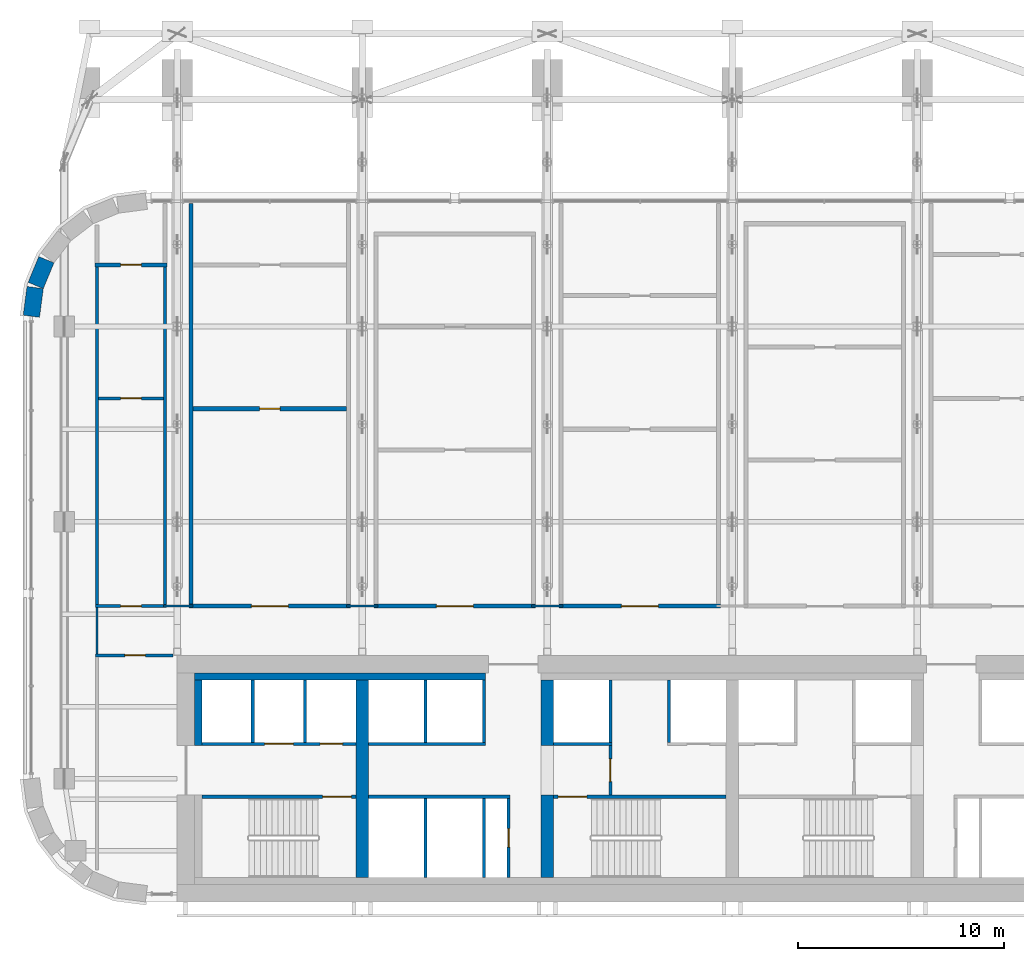
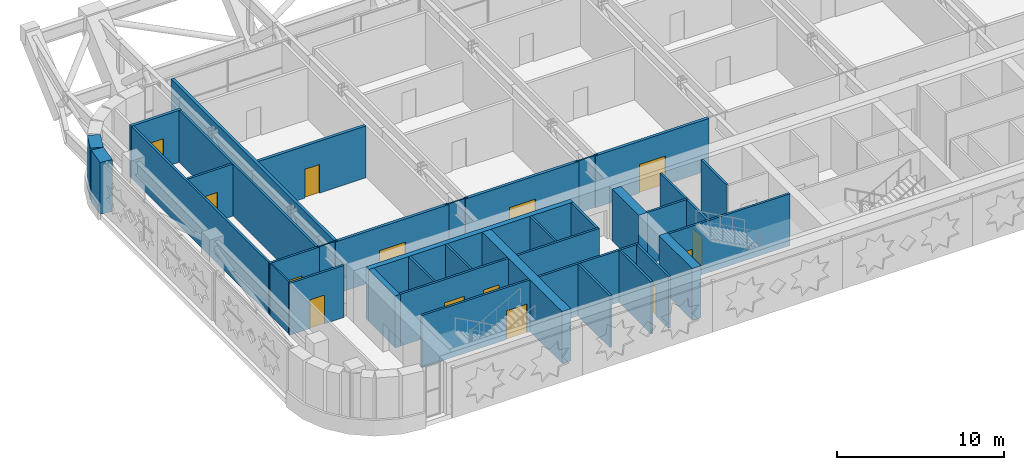
# One storey, part 12 of 23: 38 walls, 14 doors, 14 openings.
"""IFC4 building model written with IfcOpenShell, lengths in metres."""

from ifc_helpers import new_model, si_unit, direction, frame, frame_2d, origin, place, context, subcontext, project, spatial, rectangle, extrude, material, layer, layer_set, type_object, element, fill, save


model = new_model("IFC4")

# Units and contexts
model_context = context("Model", 3, precision=1e-05, world=origin(), true_north=direction((0.0, 1.0)))
body_context = subcontext(model_context, "Body", "Model", "MODEL_VIEW")
ifc_project = project(units=[si_unit("LENGTHUNIT", "METRE"), si_unit("AREAUNIT", "SQUARE_METRE"), si_unit("VOLUMEUNIT", "CUBIC_METRE"), si_unit("PLANEANGLEUNIT", "RADIAN"), si_unit("MASSUNIT", "GRAM", prefix="KILO")], contexts=[model_context])

# Site, building, storey
site_placement = place(None, origin())
site = spatial("IfcSite", under=ifc_project, at=site_placement, CompositionType="ELEMENT")
building_placement = place(site_placement, origin())
building = spatial("IfcBuilding", under=site, at=building_placement, Name="Zellij Exchange Tower", CompositionType="ELEMENT")
storey_placement = place(building_placement, frame((0.0, 0.0, 160.5)))
storey = spatial("IfcBuildingStorey", under=building, at=storey_placement, Name="L36", CompositionType="ELEMENT", Elevation=160.5)

# Walls
ifc_material_1 = material(Name="Concrete C60/75", Category="concrete")
ifc_layer_1 = layer(ifc_material_1, 0.60009765625)
ifc_layer_set_1 = layer_set([ifc_layer_1], Name="Concrete C60/75")
wall_type_1 = type_object("IfcWallType", Name="CORE-CW 600 C60/75", PredefinedType="SHEAR", material=ifc_layer_set_1)
wall_1_placement = place(storey_placement, frame((-18.0, -12.800048828125, 0.0), z_axis=(0.0, 0.0, 1.0), x_axis=(0.0, 1.0, 0.0)))
element("IfcWall", 1, at=wall_1_placement, inside=storey, type_object=wall_type_1, Name="Core cross wall x -18 L36", PredefinedType="SHEAR", context=body_context, shape_type="SweptSolid", body=[
    extrude(rectangle(XDim=9.60009765625, YDim=0.60009765625, at=frame_2d((4.800048828125, 0.0))), origin(), (0.0, 0.0, 1.0), 3.800048828125),
])
wall_2_placement = place(storey_placement, frame((-9.0, -12.800048828125, 0.0), z_axis=(0.0, 0.0, 1.0), x_axis=(0.0, 1.0, 0.0)))
element("IfcWall", 2, at=wall_2_placement, inside=storey, type_object=wall_type_1, Name="Core cross wall pier x -9 a L36", PredefinedType="SHEAR", context=body_context, shape_type="SweptSolid", body=[
    extrude(rectangle(XDim=4.0, YDim=0.60009765625, at=frame_2d((2.0, 0.0))), origin(), (0.0, 0.0, 1.0), 3.800048828125),
])
wall_3_placement = place(storey_placement, frame((-9.0, -6.375, 0.0), z_axis=(0.0, 0.0, 1.0), x_axis=(0.0, 1.0, 0.0)))
element("IfcWall", 3, at=wall_3_placement, inside=storey, type_object=wall_type_1, Name="Core cross wall pier x -9 b L36", PredefinedType="SHEAR", context=body_context, shape_type="SweptSolid", body=[
    extrude(rectangle(XDim=3.175048828125, YDim=0.60009765625, at=frame_2d((1.58740234375, 0.0))), origin(), (0.0, 0.0, 1.0), 3.800048828125),
])
ifc_material_2 = material(Name="Concrete C30/37", Category="concrete")
ifc_layer_2 = layer(ifc_material_2, 0.35009765625)
ifc_layer_set_2 = layer_set([ifc_layer_2], Name="Concrete C30/37")
wall_type_2 = type_object("IfcWallType", Name="CORE-LW 350 C30/37", PredefinedType="SHEAR", material=ifc_layer_set_2)
wall_4_placement = place(storey_placement, frame((-26.14990234375, -3.02490234375, 0.0), z_axis=(0.0, 0.0, 1.0), x_axis=(1.0, 0.0, 0.0)))
element("IfcWall", 4, at=wall_4_placement, inside=storey, type_object=wall_type_2, Name="Core wall lining front.0 L36", PredefinedType="SHEAR", context=body_context, shape_type="SweptSolid", body=[
    extrude(rectangle(XDim=14.14990234375, YDim=0.35009765625, at=frame_2d((7.074951171875, 0.0))), origin(), (0.0, 0.0, 1.0), 3.800048828125),
])
wall_5_placement = place(storey_placement, frame((-25.97509765625, -6.375, 0.0), z_axis=(0.0, 0.0, 1.0), x_axis=(0.0, 1.0, 0.0)))
element("IfcWall", 5, at=wall_5_placement, inside=storey, type_object=wall_type_2, Name="Core wall lining end w.1 L36", PredefinedType="SHEAR", context=body_context, shape_type="SweptSolid", body=[
    extrude(rectangle(XDim=3.175048828125, YDim=0.35009765625, at=frame_2d((1.58740234375, 0.0))), origin(), (0.0, 0.0, 1.0), 3.800048828125),
])

# Wall, opening, door
ifc_material_3 = material(Name="Gypsum shaft wall system")
ifc_layer_3 = layer(ifc_material_3, 0.14990234375)
ifc_layer_set_3 = layer_set([ifc_layer_3], Name="Gypsum shaft wall system")
wall_type_3 = type_object("IfcWallType", Name="CORE-PW 150 Firefighting lobby wall", PredefinedType="PARTITIONING", material=ifc_layer_set_3)
wall_6_placement = place(storey_placement, frame((-5.925048828125, -8.800048828125, 0.0), z_axis=(0.0, 0.0, 1.0), x_axis=(0.0, 1.0, 0.0)))
wall_6 = element("IfcWall", 6, at=wall_6_placement, inside=storey, type_object=wall_type_3, Name="Firefighting lobby wall L36", PredefinedType="PARTITIONING", context=body_context, shape_type="SweptSolid", body=[
    extrude(rectangle(XDim=2.425048828125, YDim=0.14990234375, at=frame_2d((1.21240234375, 0.0))), origin(), (0.0, 0.0, 1.0), 3.800048828125),
])
opening_1_placement = place(wall_6_placement, frame((0.662109375, 0.0, 0.0)))
opening_1 = element("IfcOpeningElement", 7, at=opening_1_placement, cuts=wall_6, Name="Opening CA-20.08", PredefinedType="OPENING", context=body_context, shape_type="SweptSolid", body=[
    extrude(rectangle(XDim=1.10009765625, YDim=2.10009765625, at=frame_2d((0.550048828125, 1.050048828125))), frame((0.0, 0.0869140625, 0.0), z_axis=(0.0, -1.0, 0.0), x_axis=(1.0, 0.0, 0.0)), (0.0, 0.0, 1.0), 0.173828125),
])
ifc_material_4 = material(Name="Hollow metal fire door")
door_type_1 = type_object("IfcDoorType", Name="CORE-D F Firefighting lobby door 1100x2100 1 HR", OperationType="NOTDEFINED", PredefinedType="DOOR", material=ifc_material_4)
door_1_placement = place(opening_1_placement, origin())
door_1 = element("IfcDoor", 8, at=door_1_placement, inside=storey, type_object=door_type_1, Name="Firefighting lobby door CA-20.08", OperationType="SINGLE_SWING_LEFT", OverallHeight=2.10009765625, OverallWidth=1.10009765625, PredefinedType="DOOR", context=body_context, shape_type="SweptSolid", body=[
    extrude(rectangle(XDim=1.10009765625, YDim=2.10009765625, at=frame_2d((0.550048828125, 1.050048828125))), frame((0.0, 0.02490234375, 0.0), z_axis=(0.0, -1.0, 0.0), x_axis=(1.0, 0.0, 0.0)), (0.0, 0.0, 1.0), 0.050048828125),
])
fill(opening_1, door_1)

# Walls
ifc_layer_4 = layer(ifc_material_3, 0.14990234375)
ifc_layer_set_4 = layer_set([ifc_layer_4], Name="Gypsum shaft wall system")
wall_type_4 = type_object("IfcWallType", Name="CORE-PW 150 Lift shaft wall", PredefinedType="PARTITIONING", material=ifc_layer_set_4)
for number, where, z_axis, x_axis, name in (
    (9, (-20.77490234375, -6.22509765625, 0.0), (0.0, 0.0, 1.0), (0.0, 1.0, 0.0), "Lift shaft wall L36"),
    (10, (-23.324951171875, -6.22509765625, 0.0), (0.0, 0.0, 1.0), (0.0, 1.0, 0.0), "Lift shaft wall L36"),
    (11, (-12.074951171875, -6.22509765625, 0.0), (0.0, 0.0, 1.0), (0.0, 1.0, 0.0), "Lift shaft wall L36"),
    (12, (-14.925048828125, -6.22509765625, 0.0), (0.0, 0.0, 1.0), (0.0, 1.0, 0.0), "Lift shaft wall L36"),
    (13, (-3.074951171875, -6.22509765625, 0.0), (0.0, 0.0, 1.0), (0.0, 1.0, 0.0), "Lift shaft wall L36"),
    (14, (-5.925048828125, -6.22509765625, 0.0), (0.0, 0.0, 1.0), (0.0, 1.0, 0.0), "Lift shaft wall L36"),
):
    element("IfcWall", number, at=place(storey_placement, frame(where, z_axis=z_axis, x_axis=x_axis)), inside=storey, type_object=wall_type_4, Name=name, PredefinedType="PARTITIONING", context=body_context, shape_type="SweptSolid", body=[
        extrude(rectangle(XDim=3.025146484375, YDim=0.14990234375, at=frame_2d((1.5126953125, 0.0))), origin(), (0.0, 0.0, 1.0), 3.800048828125),
    ])
for number, where, z_axis, x_axis, name in (
    (15, (-12.074951171875, -12.800048828125, 0.0), (0.0, 0.0, 1.0), (0.0, 1.0, 0.0), "Lift shaft wall L36"),
    (16, (-14.925048828125, -12.800048828125, 0.0), (0.0, 0.0, 1.0), (0.0, 1.0, 0.0), "Lift shaft wall L36"),
):
    element("IfcWall", number, at=place(storey_placement, frame(where, z_axis=z_axis, x_axis=x_axis)), inside=storey, type_object=wall_type_4, Name=name, PredefinedType="PARTITIONING", context=body_context, shape_type="SweptSolid", body=[
        extrude(rectangle(XDim=3.85009765625, YDim=0.14990234375, at=frame_2d((1.925048828125, 0.0))), origin(), (0.0, 0.0, 1.0), 3.800048828125),
    ])

# Wall, openings, doors
wall_7_placement = place(storey_placement, frame((-25.800048828125, -6.300048828125, 0.0), z_axis=(0.0, 0.0, 1.0), x_axis=(1.0, 0.0, 0.0)))
wall_7 = element("IfcWall", 17, at=wall_7_placement, inside=storey, type_object=wall_type_4, Name="Lift shaft wall L36", PredefinedType="PARTITIONING", context=body_context, shape_type="SweptSolid", body=[
    extrude(rectangle(XDim=7.5, YDim=0.14990234375, at=frame_2d((3.75, 0.0))), origin(), (0.0, 0.0, 1.0), 3.800048828125),
])
opening_2_placement = place(wall_7_placement, frame((3.050048828125, 0.0, 0.0)))
opening_2 = element("IfcOpeningElement", 18, at=opening_2_placement, cuts=wall_7, Name="Opening CA-20.02", PredefinedType="OPENING", context=body_context, shape_type="SweptSolid", body=[
    extrude(rectangle(XDim=1.39990234375, YDim=2.10009765625, at=frame_2d((0.699951171875, 1.050048828125))), frame((0.0, 0.0869140625, 0.0), z_axis=(0.0, -1.0, 0.0), x_axis=(1.0, 0.0, 0.0)), (0.0, 0.0, 1.0), 0.173828125),
])
opening_3_placement = place(wall_7_placement, frame((5.75, 0.0, 0.0)))
opening_3 = element("IfcOpeningElement", 19, at=opening_3_placement, cuts=wall_7, Name="Opening CA-20.03", PredefinedType="OPENING", context=body_context, shape_type="SweptSolid", body=[
    extrude(rectangle(XDim=1.10009765625, YDim=2.10009765625, at=frame_2d((0.550048828125, 1.050048828125))), frame((0.0, 0.0869140625, 0.0), z_axis=(0.0, -1.0, 0.0), x_axis=(1.0, 0.0, 0.0)), (0.0, 0.0, 1.0), 0.173828125),
])
door_type_2 = type_object("IfcDoorType", Name="CORE-D LD Lift landing door 1100x2100 1.5 HR", OperationType="NOTDEFINED", PredefinedType="DOOR", material=ifc_material_4)
door_2_placement = place(opening_3_placement, origin())
door_2 = element("IfcDoor", 20, at=door_2_placement, inside=storey, type_object=door_type_2, Name="Lift landing door CA-20.03", OperationType="SLIDING_TO_LEFT", OverallHeight=2.10009765625, OverallWidth=1.10009765625, PredefinedType="DOOR", context=body_context, shape_type="SweptSolid", body=[
    extrude(rectangle(XDim=1.10009765625, YDim=2.10009765625, at=frame_2d((0.550048828125, 1.050048828125))), frame((0.0, 0.02490234375, 0.0), z_axis=(0.0, -1.0, 0.0), x_axis=(1.0, 0.0, 0.0)), (0.0, 0.0, 1.0), 0.050048828125),
])
fill(opening_3, door_2)
door_type_3 = type_object("IfcDoorType", Name="CORE-D LD2 Service lift landing door 1400x2100 1.5 HR", OperationType="NOTDEFINED", PredefinedType="DOOR", material=ifc_material_4)
door_3_placement = place(opening_2_placement, origin())
door_3 = element("IfcDoor", 21, at=door_3_placement, inside=storey, type_object=door_type_3, Name="Service lift landing door CA-20.02", OperationType="SLIDING_TO_RIGHT", OverallHeight=2.10009765625, OverallWidth=1.39990234375, PredefinedType="DOOR", context=body_context, shape_type="SweptSolid", body=[
    extrude(rectangle(XDim=1.39990234375, YDim=2.10009765625, at=frame_2d((0.699951171875, 1.050048828125))), frame((0.0, 0.02490234375, 0.0), z_axis=(0.0, -1.0, 0.0), x_axis=(1.0, 0.0, 0.0)), (0.0, 0.0, 1.0), 0.050048828125),
])
fill(opening_2, door_3)

# Walls
wall_8_placement = place(storey_placement, frame((-17.699951171875, -6.300048828125, 0.0), z_axis=(0.0, 0.0, 1.0), x_axis=(1.0, 0.0, 0.0)))
element("IfcWall", 22, at=wall_8_placement, inside=storey, type_object=wall_type_4, Name="Lift shaft wall L36", PredefinedType="PARTITIONING", context=body_context, shape_type="SweptSolid", body=[
    extrude(rectangle(XDim=5.699951171875, YDim=0.14990234375, at=frame_2d((2.85009765625, 0.0))), origin(), (0.0, 0.0, 1.0), 3.800048828125),
])
wall_9_placement = place(storey_placement, frame((-8.699951171875, -6.300048828125, 0.0), z_axis=(0.0, 0.0, 1.0), x_axis=(1.0, 0.0, 0.0)))
element("IfcWall", 23, at=wall_9_placement, inside=storey, type_object=wall_type_4, Name="Lift shaft wall L36", PredefinedType="PARTITIONING", context=body_context, shape_type="SweptSolid", body=[
    extrude(rectangle(XDim=2.849853515625, YDim=0.14990234375, at=frame_2d((1.4248046875, 0.0))), origin(), (0.0, 0.0, 1.0), 3.800048828125),
])
wall_10_placement = place(storey_placement, frame((-17.699951171875, -8.875, 0.0), z_axis=(0.0, 0.0, 1.0), x_axis=(1.0, 0.0, 0.0)))
element("IfcWall", 24, at=wall_10_placement, inside=storey, type_object=wall_type_4, Name="Lift shaft wall L36", PredefinedType="PARTITIONING", context=body_context, shape_type="SweptSolid", body=[
    extrude(rectangle(XDim=6.89990234375, YDim=0.14990234375, at=frame_2d((3.449951171875, 0.0))), origin(), (0.0, 0.0, 1.0), 3.800048828125),
])

# Wall, opening, door
ifc_layer_5 = layer(ifc_material_3, 0.14990234375)
ifc_layer_set_5 = layer_set([ifc_layer_5], Name="Gypsum shaft wall system")
wall_type_5 = type_object("IfcWallType", Name="CORE-PW 150 Plant room wall", PredefinedType="PARTITIONING", material=ifc_layer_set_5)
wall_11_placement = place(storey_placement, frame((-10.875, -12.800048828125, 0.0), z_axis=(0.0, 0.0, 1.0), x_axis=(0.0, 1.0, 0.0)))
wall_11 = element("IfcWall", 25, at=wall_11_placement, inside=storey, type_object=wall_type_5, Name="Plant room wall L36", PredefinedType="PARTITIONING", context=body_context, shape_type="SweptSolid", body=[
    extrude(rectangle(XDim=3.85009765625, YDim=0.14990234375, at=frame_2d((1.925048828125, 0.0))), origin(), (0.0, 0.0, 1.0), 3.800048828125),
])
opening_4_placement = place(wall_11_placement, frame((1.47509765625, 0.0, 0.0)))
opening_4 = element("IfcOpeningElement", 26, at=opening_4_placement, cuts=wall_11, Name="Opening CA-20.05", PredefinedType="OPENING", context=body_context, shape_type="SweptSolid", body=[
    extrude(rectangle(XDim=0.89990234375, YDim=2.10009765625, at=frame_2d((0.449951171875, 1.050048828125))), frame((0.0, 0.0869140625, 0.0), z_axis=(0.0, -1.0, 0.0), x_axis=(1.0, 0.0, 0.0)), (0.0, 0.0, 1.0), 0.173828125),
])
door_type_4 = type_object("IfcDoorType", Name="CORE-D RD Riser door 900x2100 1.5 HR", OperationType="NOTDEFINED", PredefinedType="DOOR", material=ifc_material_4)
door_4_placement = place(opening_4_placement, origin())
door_4 = element("IfcDoor", 27, at=door_4_placement, inside=storey, type_object=door_type_4, Name="Riser door CA-20.05", OperationType="SINGLE_SWING_RIGHT", OverallHeight=2.10009765625, OverallWidth=0.89990234375, PredefinedType="DOOR", context=body_context, shape_type="SweptSolid", body=[
    extrude(rectangle(XDim=0.89990234375, YDim=2.10009765625, at=frame_2d((0.449951171875, 1.050048828125))), frame((0.0, 0.02490234375, 0.0), z_axis=(0.0, -1.0, 0.0), x_axis=(1.0, 0.0, 0.0)), (0.0, 0.0, 1.0), 0.050048828125),
])
fill(opening_4, door_4)

ifc_layer_6 = layer(ifc_material_1, 0.14990234375)
ifc_layer_set_6 = layer_set([ifc_layer_6], Name="Concrete C60/75")
wall_type_6 = type_object("IfcWallType", Name="CORE-SWS 150 C60/75", PredefinedType="SHEAR", material=ifc_layer_set_6)
wall_12_placement = place(storey_placement, frame((-25.800048828125, -8.875, 0.0), z_axis=(0.0, 0.0, 1.0), x_axis=(1.0, 0.0, 0.0)))
wall_12 = element("IfcWall", 28, at=wall_12_placement, inside=storey, type_object=wall_type_6, Name="Stair enclosure wall L36", PredefinedType="SHEAR", context=body_context, shape_type="SweptSolid", body=[
    extrude(rectangle(XDim=7.5, YDim=0.14990234375, at=frame_2d((3.75, 0.0))), origin(), (0.0, 0.0, 1.0), 3.800048828125),
])
opening_5_placement = place(wall_12_placement, frame((5.875, 0.0, 0.0)))
opening_5 = element("IfcOpeningElement", 29, at=opening_5_placement, cuts=wall_12, Name="Opening CA-20.04", PredefinedType="OPENING", context=body_context, shape_type="SweptSolid", body=[
    extrude(rectangle(XDim=1.39990234375, YDim=2.10009765625, at=frame_2d((0.699951171875, 1.050048828125))), frame((0.0, 0.0869140625, 0.0), z_axis=(0.0, -1.0, 0.0), x_axis=(1.0, 0.0, 0.0)), (0.0, 0.0, 1.0), 0.173828125),
])
door_type_5 = type_object("IfcDoorType", Name="CORE-D SD Stair door 1400x2100 1.5 HR", OperationType="NOTDEFINED", PredefinedType="DOOR", material=ifc_material_4)
door_5_placement = place(opening_5_placement, origin())
door_5 = element("IfcDoor", 30, at=door_5_placement, inside=storey, type_object=door_type_5, Name="Stair door CA-20.04", OperationType="DOUBLE_DOOR_SINGLE_SWING", OverallHeight=2.10009765625, OverallWidth=1.39990234375, PredefinedType="DOOR", context=body_context, shape_type="SweptSolid", body=[
    extrude(rectangle(XDim=1.39990234375, YDim=2.10009765625, at=frame_2d((0.699951171875, 1.050048828125))), frame((0.0, 0.02490234375, 0.0), z_axis=(0.0, -1.0, 0.0), x_axis=(1.0, 0.0, 0.0)), (0.0, 0.0, 1.0), 0.050048828125),
])
fill(opening_5, door_5)

wall_13_placement = place(storey_placement, frame((-8.699951171875, -8.875, 0.0), z_axis=(0.0, 0.0, 1.0), x_axis=(1.0, 0.0, 0.0)))
wall_13 = element("IfcWall", 31, at=wall_13_placement, inside=storey, type_object=wall_type_6, Name="Stair enclosure wall L36", PredefinedType="SHEAR", context=body_context, shape_type="SweptSolid", body=[
    extrude(rectangle(XDim=8.39990234375, YDim=0.14990234375, at=frame_2d((4.199951171875, 0.0))), origin(), (0.0, 0.0, 1.0), 3.800048828125),
])
opening_6_placement = place(wall_13_placement, frame((0.22509765625, 0.0, 0.0)))
opening_6 = element("IfcOpeningElement", 32, at=opening_6_placement, cuts=wall_13, Name="Opening CA-20.07", PredefinedType="OPENING", context=body_context, shape_type="SweptSolid", body=[
    extrude(rectangle(XDim=1.39990234375, YDim=2.10009765625, at=frame_2d((0.699951171875, 1.050048828125))), frame((0.0, 0.0869140625, 0.0), z_axis=(0.0, -1.0, 0.0), x_axis=(1.0, 0.0, 0.0)), (0.0, 0.0, 1.0), 0.173828125),
])
door_6_placement = place(opening_6_placement, origin())
door_6 = element("IfcDoor", 33, at=door_6_placement, inside=storey, type_object=door_type_5, Name="Stair door CA-20.07", OperationType="DOUBLE_DOOR_SINGLE_SWING", OverallHeight=2.10009765625, OverallWidth=1.39990234375, PredefinedType="DOOR", context=body_context, shape_type="SweptSolid", body=[
    extrude(rectangle(XDim=1.39990234375, YDim=2.10009765625, at=frame_2d((0.699951171875, 1.050048828125))), frame((0.0, 0.02490234375, 0.0), z_axis=(0.0, -1.0, 0.0), x_axis=(1.0, 0.0, 0.0)), (0.0, 0.0, 1.0), 0.050048828125),
])
fill(opening_6, door_6)

# Walls
ifc_material_5 = material(Name="Precast concrete C40/50", Category="concrete")
ifc_layer_7 = layer(ifc_material_5, 0.800048828125)
ifc_layer_set_7 = layer_set([ifc_layer_7], Name="Precast concrete C40/50")
wall_type_7 = type_object("IfcWallType", Name="ENV-EW1 Precast stone-piered wall 800", PredefinedType="SOLIDWALL", material=ifc_layer_set_7)
wall_14_placement = place(storey_placement, frame((-33.366943359375, 17.24951171875, 0.0), z_axis=(0.0, 0.0, 1.0), x_axis=(-0.38276009378, -0.923847774587, 0.0)))
element("IfcWall", 34, at=wall_14_placement, inside=storey, type_object=wall_type_7, Name="fac.L36.19", PredefinedType="SOLIDWALL", context=body_context, shape_type="SweptSolid", body=[
    extrude(rectangle(XDim=1.35546875, YDim=0.800048828125, at=frame_2d((0.677734375, 0.0))), origin(), (0.0, 0.0, 1.0), 3.800048828125),
])
wall_15_placement = place(storey_placement, frame((-33.912841796875, 15.896240234375, 0.0), z_axis=(0.0, 0.0, 1.0), x_axis=(-0.130517283865, -0.99144603414, 0.0)))
element("IfcWall", 35, at=wall_15_placement, inside=storey, type_object=wall_type_7, Name="fac.L36.20", PredefinedType="SOLIDWALL", context=body_context, shape_type="SweptSolid", body=[
    extrude(rectangle(XDim=1.408447265625, YDim=0.800048828125, at=frame_2d((0.7041015625, 0.0))), origin(), (0.0, 0.0, 1.0), 3.800048828125),
])

# Wall, opening, door
ifc_material_6 = material(Name="Blockwork fire wall", Category="masonry")
ifc_layer_8 = layer(ifc_material_6, 0.199951171875)
ifc_layer_set_8 = layer_set([ifc_layer_8], Name="Blockwork fire wall")
wall_type_8 = type_object("IfcWallType", Name="FIT-BLOCKWORK-200-EI120", PredefinedType="PARTITIONING", material=ifc_layer_set_8)
wall_16_placement = place(storey_placement, frame((-26.43994140625, 0.39990234375, 0.0), z_axis=(0.0, 0.0, 1.0), x_axis=(1.0, 0.0, 0.0)))
wall_16 = element("IfcWall", 36, at=wall_16_placement, inside=storey, type_object=wall_type_8, Name="FIT-BLOCKWORK-200-EI120 011", PredefinedType="PARTITIONING", context=body_context, shape_type="SweptSolid", body=[
    extrude(rectangle(XDim=7.8798828125, YDim=0.199951171875, at=frame_2d((3.93994140625, 0.0))), origin(), (0.0, 0.0, 1.0), 3.800048828125),
])
opening_7_placement = place(wall_16_placement, frame((3.050048828125, 0.0, 0.0)))
opening_7 = element("IfcOpeningElement", 37, at=opening_7_placement, cuts=wall_16, Name="Opening PL36.04", PredefinedType="OPENING", context=body_context, shape_type="SweptSolid", body=[
    extrude(rectangle(XDim=1.800048828125, YDim=2.10009765625, at=frame_2d((0.89990234375, 1.050048828125))), frame((0.0, 0.11181640625, 0.0), z_axis=(0.0, -1.0, 0.0), x_axis=(1.0, 0.0, 0.0)), (0.0, 0.0, 1.0), 0.223876953125),
])
ifc_material_7 = material(Name="Steel fire door set", Category="steel")
door_type_6 = type_object("IfcDoorType", Name="FIT-D5-FIRE-DOUBLE-1800X2100", OperationType="DOUBLE_DOOR_SINGLE_SWING", PredefinedType="DOOR", material=ifc_material_7)
door_7_placement = place(opening_7_placement, origin())
door_7 = element("IfcDoor", 38, at=door_7_placement, inside=storey, type_object=door_type_6, Name="Door PL36.04", OperationType="DOUBLE_DOOR_SINGLE_SWING", OverallHeight=2.10009765625, OverallWidth=1.800048828125, PredefinedType="DOOR", context=body_context, shape_type="SweptSolid", body=[
    extrude(rectangle(XDim=1.800048828125, YDim=2.10009765625, at=frame_2d((0.89990234375, 1.050048828125))), frame((0.0, 0.02490234375, 0.0), z_axis=(0.0, -1.0, 0.0), x_axis=(1.0, 0.0, 0.0)), (0.0, 0.0, 1.0), 0.050048828125),
])
fill(opening_7, door_7)

# Wall
wall_17_placement = place(storey_placement, frame((-26.340087890625, 0.5, 0.0), z_axis=(0.0, 0.0, 1.0), x_axis=(0.0, 1.0, 0.0)))
element("IfcWall", 39, at=wall_17_placement, inside=storey, type_object=wall_type_8, Name="FIT-BLOCKWORK-200-EI120 012", PredefinedType="PARTITIONING", context=body_context, shape_type="SweptSolid", body=[
    extrude(rectangle(XDim=19.49609375, YDim=0.199951171875, at=frame_2d((9.748046875, 0.0))), origin(), (0.0, 0.0, 1.0), 3.800048828125),
])

# Wall, opening, door
wall_18_placement = place(storey_placement, frame((-17.43994140625, 0.39990234375, 0.0), z_axis=(0.0, 0.0, 1.0), x_axis=(1.0, 0.0, 0.0)))
wall_18 = element("IfcWall", 40, at=wall_18_placement, inside=storey, type_object=wall_type_8, Name="FIT-BLOCKWORK-200-EI120 015", PredefinedType="PARTITIONING", context=body_context, shape_type="SweptSolid", body=[
    extrude(rectangle(XDim=7.8798828125, YDim=0.199951171875, at=frame_2d((3.93994140625, 0.0))), origin(), (0.0, 0.0, 1.0), 3.800048828125),
])
opening_8_placement = place(wall_18_placement, frame((3.050048828125, 0.0, 0.0)))
opening_8 = element("IfcOpeningElement", 41, at=opening_8_placement, cuts=wall_18, Name="Opening PL36.05", PredefinedType="OPENING", context=body_context, shape_type="SweptSolid", body=[
    extrude(rectangle(XDim=1.800048828125, YDim=2.10009765625, at=frame_2d((0.89990234375, 1.050048828125))), frame((0.0, 0.11181640625, 0.0), z_axis=(0.0, -1.0, 0.0), x_axis=(1.0, 0.0, 0.0)), (0.0, 0.0, 1.0), 0.223876953125),
])
door_8_placement = place(opening_8_placement, origin())
door_8 = element("IfcDoor", 42, at=door_8_placement, inside=storey, type_object=door_type_6, Name="Door PL36.05", OperationType="DOUBLE_DOOR_SINGLE_SWING", OverallHeight=2.10009765625, OverallWidth=1.800048828125, PredefinedType="DOOR", context=body_context, shape_type="SweptSolid", body=[
    extrude(rectangle(XDim=1.800048828125, YDim=2.10009765625, at=frame_2d((0.89990234375, 1.050048828125))), frame((0.0, 0.02490234375, 0.0), z_axis=(0.0, -1.0, 0.0), x_axis=(1.0, 0.0, 0.0)), (0.0, 0.0, 1.0), 0.050048828125),
])
fill(opening_8, door_8)

wall_19_placement = place(storey_placement, frame((-8.43994140625, 0.39990234375, 0.0), z_axis=(0.0, 0.0, 1.0), x_axis=(1.0, 0.0, 0.0)))
wall_19 = element("IfcWall", 43, at=wall_19_placement, inside=storey, type_object=wall_type_8, Name="FIT-BLOCKWORK-200-EI120 019", PredefinedType="PARTITIONING", context=body_context, shape_type="SweptSolid", body=[
    extrude(rectangle(XDim=7.8798828125, YDim=0.199951171875, at=frame_2d((3.93994140625, 0.0))), origin(), (0.0, 0.0, 1.0), 3.800048828125),
])
opening_9_placement = place(wall_19_placement, frame((3.050048828125, 0.0, 0.0)))
opening_9 = element("IfcOpeningElement", 44, at=opening_9_placement, cuts=wall_19, Name="Opening PL36.06", PredefinedType="OPENING", context=body_context, shape_type="SweptSolid", body=[
    extrude(rectangle(XDim=1.800048828125, YDim=2.10009765625, at=frame_2d((0.89990234375, 1.050048828125))), frame((0.0, 0.11181640625, 0.0), z_axis=(0.0, -1.0, 0.0), x_axis=(1.0, 0.0, 0.0)), (0.0, 0.0, 1.0), 0.223876953125),
])
door_9_placement = place(opening_9_placement, origin())
door_9 = element("IfcDoor", 45, at=door_9_placement, inside=storey, type_object=door_type_6, Name="Door PL36.06", OperationType="DOUBLE_DOOR_SINGLE_SWING", OverallHeight=2.10009765625, OverallWidth=1.800048828125, PredefinedType="DOOR", context=body_context, shape_type="SweptSolid", body=[
    extrude(rectangle(XDim=1.800048828125, YDim=2.10009765625, at=frame_2d((0.89990234375, 1.050048828125))), frame((0.0, 0.02490234375, 0.0), z_axis=(0.0, -1.0, 0.0), x_axis=(1.0, 0.0, 0.0)), (0.0, 0.0, 1.0), 0.050048828125),
])
fill(opening_9, door_9)

wall_20_placement = place(storey_placement, frame((-26.239990234375, 10.0, 0.0), z_axis=(0.0, 0.0, 1.0), x_axis=(1.0, 0.0, 0.0)))
wall_20 = element("IfcWall", 46, at=wall_20_placement, inside=storey, type_object=wall_type_8, Name="FIT-BLOCKWORK-200-EI120 043", PredefinedType="PARTITIONING", context=body_context, shape_type="SweptSolid", body=[
    extrude(rectangle(XDim=7.47998046875, YDim=0.199951171875, at=frame_2d((3.739990234375, 0.0))), origin(), (0.0, 0.0, 1.0), 3.800048828125),
])
opening_10_placement = place(wall_20_placement, frame((3.25, 0.0, 0.0)))
opening_10 = element("IfcOpeningElement", 47, at=opening_10_placement, cuts=wall_20, Name="Opening PL36.16", PredefinedType="OPENING", context=body_context, shape_type="SweptSolid", body=[
    extrude(rectangle(XDim=1.0, YDim=2.10009765625, at=frame_2d((0.5, 1.050048828125))), frame((0.0, 0.11181640625, 0.0), z_axis=(0.0, -1.0, 0.0), x_axis=(1.0, 0.0, 0.0)), (0.0, 0.0, 1.0), 0.223876953125),
])
door_type_7 = type_object("IfcDoorType", Name="FIT-D4-FIRE-1000X2100", OperationType="SINGLE_SWING_LEFT", PredefinedType="DOOR", material=ifc_material_7)
door_10_placement = place(opening_10_placement, origin())
door_10 = element("IfcDoor", 48, at=door_10_placement, inside=storey, type_object=door_type_7, Name="Door PL36.16", OperationType="SINGLE_SWING_RIGHT", OverallHeight=2.10009765625, OverallWidth=1.0, PredefinedType="DOOR", context=body_context, shape_type="SweptSolid", body=[
    extrude(rectangle(XDim=1.0, YDim=2.10009765625, at=frame_2d((0.5, 1.050048828125))), frame((0.0, 0.02490234375, 0.0), z_axis=(0.0, -1.0, 0.0), x_axis=(1.0, 0.0, 0.0)), (0.0, 0.0, 1.0), 0.050048828125),
])
fill(opening_10, door_10)

wall_21_placement = place(storey_placement, frame((-31.0, 17.0, 0.0), z_axis=(0.0, 0.0, 1.0), x_axis=(1.0, 0.0, 0.0)))
wall_21 = element("IfcWall", 49, at=wall_21_placement, inside=storey, type_object=wall_type_8, Name="FIT-BLOCKWORK-200-EI120 051", PredefinedType="PARTITIONING", context=body_context, shape_type="SweptSolid", body=[
    extrude(rectangle(XDim=3.5, YDim=0.199951171875, at=frame_2d((1.75, 0.0))), origin(), (0.0, 0.0, 1.0), 3.800048828125),
])
opening_11_placement = place(wall_21_placement, frame((1.25, 0.0, 0.0)))
opening_11 = element("IfcOpeningElement", 50, at=opening_11_placement, cuts=wall_21, Name="Opening PL36.24", PredefinedType="OPENING", context=body_context, shape_type="SweptSolid", body=[
    extrude(rectangle(XDim=1.0, YDim=2.10009765625, at=frame_2d((0.5, 1.050048828125))), frame((0.0, 0.11181640625, 0.0), z_axis=(0.0, -1.0, 0.0), x_axis=(1.0, 0.0, 0.0)), (0.0, 0.0, 1.0), 0.223876953125),
])
door_11_placement = place(opening_11_placement, origin())
door_11 = element("IfcDoor", 51, at=door_11_placement, inside=storey, type_object=door_type_7, Name="Door PL36.24", OperationType="SINGLE_SWING_LEFT", OverallHeight=2.10009765625, OverallWidth=1.0, PredefinedType="DOOR", context=body_context, shape_type="SweptSolid", body=[
    extrude(rectangle(XDim=1.0, YDim=2.10009765625, at=frame_2d((0.5, 1.050048828125))), frame((0.0, 0.02490234375, 0.0), z_axis=(0.0, -1.0, 0.0), x_axis=(1.0, 0.0, 0.0)), (0.0, 0.0, 1.0), 0.050048828125),
])
fill(opening_11, door_11)

# Walls
ifc_material_8 = material(Name="Gypsum board partition on steel studs", Category="steel")
ifc_layer_9 = layer(ifc_material_8, 0.10009765625)
ifc_layer_set_9 = layer_set([ifc_layer_9], Name="Gypsum board partition on steel studs")
wall_type_9 = type_object("IfcWallType", Name="FIT-PARTITION-100", PredefinedType="PARTITIONING", material=ifc_layer_set_9)
wall_22_placement = place(storey_placement, frame((-30.89990234375, -1.925048828125, 0.0), z_axis=(0.0, 0.0, 1.0), x_axis=(0.0, 1.0, 0.0)))
element("IfcWall", 52, at=wall_22_placement, inside=storey, type_object=wall_type_9, Name="FIT-PARTITION-100 004", PredefinedType="PARTITIONING", context=body_context, shape_type="SweptSolid", body=[
    extrude(rectangle(XDim=2.25, YDim=0.10009765625, at=frame_2d((1.125, 0.0))), origin(), (0.0, 0.0, 1.0), 3.800048828125),
])
wall_23_placement = place(storey_placement, frame((-27.675048828125, 0.39990234375, 0.0), z_axis=(0.0, 0.0, 1.0), x_axis=(1.0, 0.0, 0.0)))
element("IfcWall", 53, at=wall_23_placement, inside=storey, type_object=wall_type_9, Name="FIT-PARTITION-100 009", PredefinedType="PARTITIONING", context=body_context, shape_type="SweptSolid", body=[
    extrude(rectangle(XDim=1.43505859375, YDim=0.10009765625, at=frame_2d((0.717529296875, 0.0))), origin(), (0.0, 0.0, 1.0), 3.800048828125),
])
for number, where, z_axis, x_axis, name in (
    (54, (-18.760009765625, 0.39990234375, 0.0), (0.0, 0.0, 1.0), (1.0, 0.0, 0.0), "FIT-PARTITION-100 013"),
    (55, (-9.760009765625, 0.39990234375, 0.0), (0.0, 0.0, 1.0), (1.0, 0.0, 0.0), "FIT-PARTITION-100 017"),
):
    element("IfcWall", number, at=place(storey_placement, frame(where, z_axis=z_axis, x_axis=x_axis)), inside=storey, type_object=wall_type_9, Name=name, PredefinedType="PARTITIONING", context=body_context, shape_type="SweptSolid", body=[
        extrude(rectangle(XDim=1.52001953125, YDim=0.10009765625, at=frame_2d((0.760009765625, 0.0))), origin(), (0.0, 0.0, 1.0), 3.800048828125),
    ])

# Wall, opening, door
ifc_material_9 = material(Name="Gypsum board shaft-wall partition", Category="gypsum")
ifc_layer_10 = layer(ifc_material_9, 0.14990234375)
ifc_layer_set_10 = layer_set([ifc_layer_10], Name="Gypsum board shaft-wall partition")
wall_type_10 = type_object("IfcWallType", Name="FIT-PARTITION-150-EI60", PredefinedType="PARTITIONING", material=ifc_layer_set_10)
wall_24_placement = place(storey_placement, frame((-30.97509765625, -2.0, 0.0), z_axis=(0.0, 0.0, 1.0), x_axis=(1.0, 0.0, 0.0)))
wall_24 = element("IfcWall", 56, at=wall_24_placement, inside=storey, type_object=wall_type_10, Name="FIT-PARTITION-150-EI60 003", PredefinedType="PARTITIONING", context=body_context, shape_type="SweptSolid", body=[
    extrude(rectangle(XDim=3.76318359375, YDim=0.14990234375, at=frame_2d((1.881591796875, 0.0))), origin(), (0.0, 0.0, 1.0), 3.800048828125),
])
opening_12_placement = place(wall_24_placement, frame((1.425048828125, 0.0, 0.0)))
opening_12 = element("IfcOpeningElement", 57, at=opening_12_placement, cuts=wall_24, Name="Opening PL36.01", PredefinedType="OPENING", context=body_context, shape_type="SweptSolid", body=[
    extrude(rectangle(XDim=1.0, YDim=2.10009765625, at=frame_2d((0.5, 1.050048828125))), frame((0.0, 0.0869140625, 0.0), z_axis=(0.0, -1.0, 0.0), x_axis=(1.0, 0.0, 0.0)), (0.0, 0.0, 1.0), 0.173828125),
])
door_12_placement = place(opening_12_placement, origin())
door_12 = element("IfcDoor", 58, at=door_12_placement, inside=storey, type_object=door_type_7, Name="Door PL36.01", OperationType="SINGLE_SWING_RIGHT", OverallHeight=2.10009765625, OverallWidth=1.0, PredefinedType="DOOR", context=body_context, shape_type="SweptSolid", body=[
    extrude(rectangle(XDim=1.0, YDim=2.10009765625, at=frame_2d((0.5, 1.050048828125))), frame((0.0, 0.02490234375, 0.0), z_axis=(0.0, -1.0, 0.0), x_axis=(1.0, 0.0, 0.0)), (0.0, 0.0, 1.0), 0.050048828125),
])
fill(opening_12, door_12)

wall_25_placement = place(storey_placement, frame((-30.97509765625, 0.39990234375, 0.0), z_axis=(0.0, 0.0, 1.0), x_axis=(1.0, 0.0, 0.0)))
wall_25 = element("IfcWall", 59, at=wall_25_placement, inside=storey, type_object=wall_type_10, Name="FIT-PARTITION-150-EI60 007", PredefinedType="PARTITIONING", context=body_context, shape_type="SweptSolid", body=[
    extrude(rectangle(XDim=3.4501953125, YDim=0.14990234375, at=frame_2d((1.72509765625, 0.0))), origin(), (0.0, 0.0, 1.0), 3.800048828125),
])
opening_13_placement = place(wall_25_placement, frame((1.22509765625, 0.0, 0.0)))
opening_13 = element("IfcOpeningElement", 60, at=opening_13_placement, cuts=wall_25, Name="Opening PL36.03", PredefinedType="OPENING", context=body_context, shape_type="SweptSolid", body=[
    extrude(rectangle(XDim=1.0, YDim=2.10009765625, at=frame_2d((0.5, 1.050048828125))), frame((0.0, 0.0869140625, 0.0), z_axis=(0.0, -1.0, 0.0), x_axis=(1.0, 0.0, 0.0)), (0.0, 0.0, 1.0), 0.173828125),
])
door_13_placement = place(opening_13_placement, origin())
door_13 = element("IfcDoor", 61, at=door_13_placement, inside=storey, type_object=door_type_7, Name="Door PL36.03", OperationType="SINGLE_SWING_RIGHT", OverallHeight=2.10009765625, OverallWidth=1.0, PredefinedType="DOOR", context=body_context, shape_type="SweptSolid", body=[
    extrude(rectangle(XDim=1.0, YDim=2.10009765625, at=frame_2d((0.5, 1.050048828125))), frame((0.0, 0.02490234375, 0.0), z_axis=(0.0, -1.0, 0.0), x_axis=(1.0, 0.0, 0.0)), (0.0, 0.0, 1.0), 0.050048828125),
])
fill(opening_13, door_13)

# Walls
for number, where, z_axis, x_axis, name in (
    (62, (-30.89990234375, 0.47509765625, 0.0), (0.0, 0.0, 1.0), (0.0, 1.0, 0.0), "FIT-PARTITION-150-EI60 008"),
    (63, (-27.60009765625, 0.47509765625, 0.0), (0.0, 0.0, 1.0), (0.0, 1.0, 0.0), "FIT-PARTITION-150-EI60 010"),
):
    element("IfcWall", number, at=place(storey_placement, frame(where, z_axis=z_axis, x_axis=x_axis)), inside=storey, type_object=wall_type_10, Name=name, PredefinedType="PARTITIONING", context=body_context, shape_type="SweptSolid", body=[
        extrude(rectangle(XDim=16.4248046875, YDim=0.14990234375, at=frame_2d((8.21240234375, 0.0))), origin(), (0.0, 0.0, 1.0), 3.800048828125),
    ])

# Wall, opening, door
wall_26_placement = place(storey_placement, frame((-30.824951171875, 10.5, 0.0), z_axis=(0.0, 0.0, 1.0), x_axis=(1.0, 0.0, 0.0)))
wall_26 = element("IfcWall", 64, at=wall_26_placement, inside=storey, type_object=wall_type_10, Name="FIT-PARTITION-150-EI60 044", PredefinedType="PARTITIONING", context=body_context, shape_type="SweptSolid", body=[
    extrude(rectangle(XDim=3.14990234375, YDim=0.14990234375, at=frame_2d((1.574951171875, 0.0))), origin(), (0.0, 0.0, 1.0), 3.800048828125),
])
opening_14_placement = place(wall_26_placement, frame((1.074951171875, 0.0, 0.0)))
opening_14 = element("IfcOpeningElement", 65, at=opening_14_placement, cuts=wall_26, Name="Opening PL36.17", PredefinedType="OPENING", context=body_context, shape_type="SweptSolid", body=[
    extrude(rectangle(XDim=1.0, YDim=2.10009765625, at=frame_2d((0.5, 1.050048828125))), frame((0.0, 0.0869140625, 0.0), z_axis=(0.0, -1.0, 0.0), x_axis=(1.0, 0.0, 0.0)), (0.0, 0.0, 1.0), 0.173828125),
])
door_14_placement = place(opening_14_placement, origin())
door_14 = element("IfcDoor", 66, at=door_14_placement, inside=storey, type_object=door_type_7, Name="Door PL36.17", OperationType="SINGLE_SWING_RIGHT", OverallHeight=2.10009765625, OverallWidth=1.0, PredefinedType="DOOR", context=body_context, shape_type="SweptSolid", body=[
    extrude(rectangle(XDim=1.0, YDim=2.10009765625, at=frame_2d((0.5, 1.050048828125))), frame((0.0, 0.02490234375, 0.0), z_axis=(0.0, -1.0, 0.0), x_axis=(1.0, 0.0, 0.0)), (0.0, 0.0, 1.0), 0.050048828125),
])
fill(opening_14, door_14)

save(model, "model.ifc")
